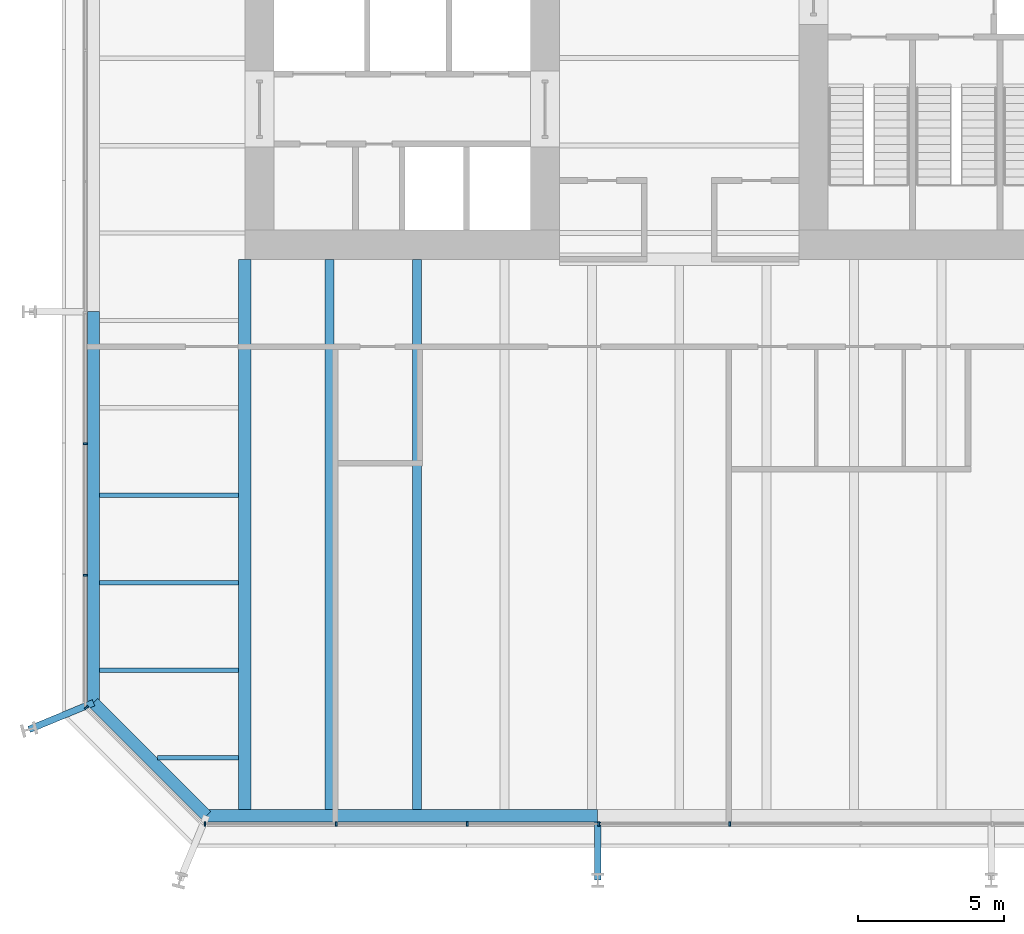
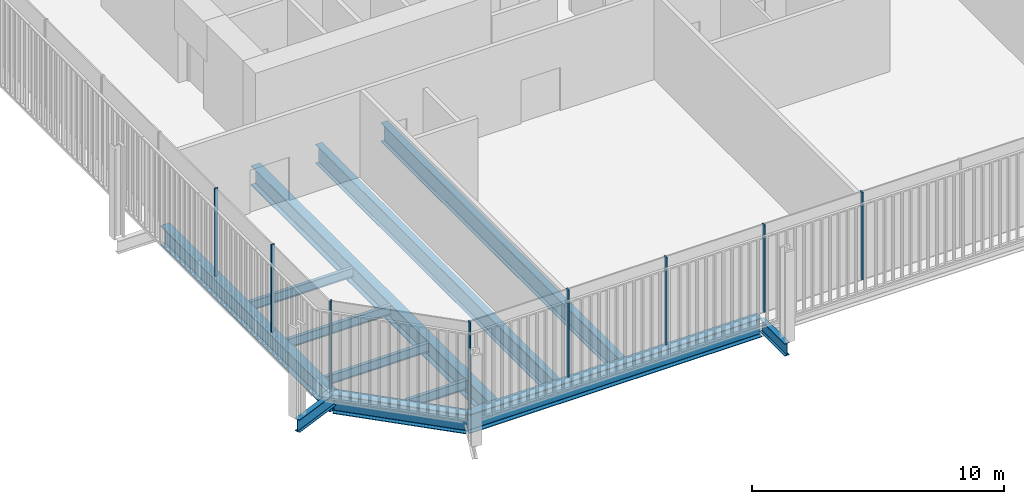
# One storey, part 2 of 20: 12 beams, 8 members, 3 elements without a shape of their own.
"""IFC4 building model written with IfcOpenShell, lengths in metres."""

from ifc_helpers import new_model, si_unit, direction, frame, origin, origin_2d, place, context, subcontext, project, spatial, rectangle, i_section, extrude, material, layer, layer_set, material_profile, profile_set, type_object, element, aggregate, save


model = new_model("IFC4")

# Units and contexts
model_context = context("Model", 3, precision=1e-05, world=origin(), true_north=direction((0.0, 1.0)))
body_context = subcontext(model_context, "Body", "Model", "MODEL_VIEW")
ifc_project = project(units=[si_unit("LENGTHUNIT", "METRE"), si_unit("AREAUNIT", "SQUARE_METRE"), si_unit("VOLUMEUNIT", "CUBIC_METRE"), si_unit("PLANEANGLEUNIT", "RADIAN"), si_unit("MASSUNIT", "GRAM", prefix="KILO")], contexts=[model_context])

# Site, building, storey
site_placement = place(None, origin())
site = spatial("IfcSite", under=ifc_project, at=site_placement, CompositionType="ELEMENT")
building_placement = place(site_placement, origin())
building = spatial("IfcBuilding", under=site, at=building_placement, Name="Millrace Tower", CompositionType="ELEMENT")
storey_placement = place(building_placement, frame((0.0, 0.0, 77.60009765625)))
storey = spatial("IfcBuildingStorey", under=building, at=storey_placement, Name="L17", CompositionType="ELEMENT", Elevation=77.60009765625)

# Curtain wall, member
ifc_material_1 = material(Name="Aluminium and glass", Category="aluminium")
ifc_layer = layer(ifc_material_1, 0.14990234375)
ifc_layer_set = layer_set([ifc_layer], Name="Aluminium and glass")
curtain_wall_type = type_object("IfcCurtainWallType", Name="CW-3 telecom floor curtain wall", PredefinedType="NOTDEFINED", material=ifc_layer_set)
placement = place(storey_placement, origin())
curtain_wall_1 = element("IfcCurtainWall", 1, at=placement, inside=storey, type_object=curtain_wall_type, Name="Curtain wall B-F01 L17", PredefinedType="NOTDEFINED")
ifc_material_2 = material(Name="Aluminium", Category="aluminium")
ifc_material_profile_1 = material_profile(ifc_material_2, rectangle(XDim=0.06494140625, YDim=0.14990234375, at=origin_2d()))
ifc_profile_set_1 = profile_set([ifc_material_profile_1], Name="Aluminium")
member_type = type_object("IfcMemberType", Name="CW-3 telecom floor curtain wall mullion", PredefinedType="MULLION", material=ifc_profile_set_1)
member_1_placement = place(storey_placement, frame((-20.330078125, -25.276123046875, 0.14990234375), z_axis=(0.0, 0.0, 1.0), x_axis=(0.707106781187, -0.707106781187, 0.0)))
member_1 = element("IfcMember", 2, at=member_1_placement, type_object=member_type, Name="CW3 mullion B-F01.1", PredefinedType="MULLION", context=body_context, shape_type="SweptSolid", body=[
    extrude(rectangle(XDim=0.06494140625, YDim=0.14990234375, at=origin_2d()), origin(), (0.0, 0.0, 1.0), 4.25),
])
aggregate(curtain_wall_1, [member_1])

# Curtain wall, members
curtain_wall_2 = element("IfcCurtainWall", 3, at=placement, inside=storey, type_object=curtain_wall_type, Name="Curtain wall B-F02 L17", PredefinedType="NOTDEFINED")
member_2_placement = place(storey_placement, frame((-16.267578125, -29.27490234375, 0.14990234375), z_axis=(0.0, 0.0, 1.0), x_axis=(1.0, 0.0, 0.0)))
member_2 = element("IfcMember", 4, at=member_2_placement, type_object=member_type, Name="CW3 mullion B-F02.1", PredefinedType="MULLION", context=body_context, shape_type="SweptSolid", body=[
    extrude(rectangle(XDim=0.06494140625, YDim=0.14990234375, at=origin_2d()), origin(), (0.0, 0.0, 1.0), 4.25),
])
member_3_placement = place(storey_placement, frame((-11.767578125, -29.27490234375, 0.14990234375), z_axis=(0.0, 0.0, 1.0), x_axis=(1.0, 0.0, 0.0)))
member_3 = element("IfcMember", 5, at=member_3_placement, type_object=member_type, Name="CW3 mullion B-F02.2", PredefinedType="MULLION", context=body_context, shape_type="SweptSolid", body=[
    extrude(rectangle(XDim=0.06494140625, YDim=0.14990234375, at=origin_2d()), origin(), (0.0, 0.0, 1.0), 4.25),
])
member_4_placement = place(storey_placement, frame((-7.267578125, -29.27490234375, 0.14990234375), z_axis=(0.0, 0.0, 1.0), x_axis=(1.0, 0.0, 0.0)))
member_4 = element("IfcMember", 6, at=member_4_placement, type_object=member_type, Name="CW3 mullion B-F02.3", PredefinedType="MULLION", context=body_context, shape_type="SweptSolid", body=[
    extrude(rectangle(XDim=0.06494140625, YDim=0.14990234375, at=origin_2d()), origin(), (0.0, 0.0, 1.0), 4.25),
])
member_5_placement = place(storey_placement, frame((-2.767578125, -29.27490234375, 0.14990234375), z_axis=(0.0, 0.0, 1.0), x_axis=(1.0, 0.0, 0.0)))
member_5 = element("IfcMember", 7, at=member_5_placement, type_object=member_type, Name="CW3 mullion B-F02.4", PredefinedType="MULLION", context=body_context, shape_type="SweptSolid", body=[
    extrude(rectangle(XDim=0.06494140625, YDim=0.14990234375, at=origin_2d()), origin(), (0.0, 0.0, 1.0), 4.25),
])
member_6_placement = place(storey_placement, frame((1.732421875, -29.27490234375, 0.14990234375), z_axis=(0.0, 0.0, 1.0), x_axis=(1.0, 0.0, 0.0)))
member_6 = element("IfcMember", 8, at=member_6_placement, type_object=member_type, Name="CW3 mullion B-F02.5", PredefinedType="MULLION", context=body_context, shape_type="SweptSolid", body=[
    extrude(rectangle(XDim=0.06494140625, YDim=0.14990234375, at=origin_2d()), origin(), (0.0, 0.0, 1.0), 4.25),
])
aggregate(curtain_wall_2, [member_2, member_3, member_4, member_5, member_6])

curtain_wall_3 = element("IfcCurtainWall", 9, at=placement, inside=storey, type_object=curtain_wall_type, Name="Curtain wall B-F08 L17", PredefinedType="NOTDEFINED")
member_7_placement = place(storey_placement, frame((-20.375, -16.232421875, 0.14990234375), z_axis=(0.0, 0.0, 1.0), x_axis=(0.0, -1.0, 0.0)))
member_7 = element("IfcMember", 10, at=member_7_placement, type_object=member_type, Name="CW3 mullion B-F08.8", PredefinedType="MULLION", context=body_context, shape_type="SweptSolid", body=[
    extrude(rectangle(XDim=0.06494140625, YDim=0.14990234375, at=origin_2d()), origin(), (0.0, 0.0, 1.0), 4.25),
])
member_8_placement = place(storey_placement, frame((-20.375, -20.732421875, 0.14990234375), z_axis=(0.0, 0.0, 1.0), x_axis=(0.0, -1.0, 0.0)))
member_8 = element("IfcMember", 11, at=member_8_placement, type_object=member_type, Name="CW3 mullion B-F08.9", PredefinedType="MULLION", context=body_context, shape_type="SweptSolid", body=[
    extrude(rectangle(XDim=0.06494140625, YDim=0.14990234375, at=origin_2d()), origin(), (0.0, 0.0, 1.0), 4.25),
])
aggregate(curtain_wall_3, [member_7, member_8])

# Beams
ifc_material_3 = material(Name="Steel ASTM A992 Grade 50", Category="steel")
ifc_material_profile_2 = material_profile(ifc_material_3, i_section(OverallWidth=0.15234375, OverallDepth=0.449462890625, WebThickness=0.007568359375, FlangeThickness=0.0107421875, FilletRadius=0.01025390625, at=origin_2d()))
ifc_profile_set_2 = profile_set([ifc_material_profile_2], Name="Steel ASTM A992 Grade 50")
beam_type_1 = type_object("IfcBeamType", Name="Floor beam W18x35", PredefinedType="JOIST", material=ifc_profile_set_2)
for number, where, z_axis, x_axis, name in (
    (12, (-19.880859375, -24.0, -0.4248046875), (1.0, 0.0, 0.0), (0.0, 1.0, 0.0), "BM-B-L17-S1-S003"),
    (13, (-19.880859375, -21.0, -0.4248046875), (1.0, 0.0, 0.0), (0.0, 1.0, 0.0), "BM-B-L17-S1-S005"),
    (14, (-19.880859375, -18.0, -0.4248046875), (1.0, 0.0, 0.0), (0.0, 1.0, 0.0), "BM-B-L17-S1-S007"),
):
    element("IfcBeam", number, at=place(storey_placement, frame(where, z_axis=z_axis, x_axis=x_axis)), inside=storey, type_object=beam_type_1, Name=name, PredefinedType="JOIST", context=body_context, shape_type="SweptSolid", body=[
        extrude(i_section(OverallWidth=0.15234375, OverallDepth=0.449462890625, WebThickness=0.007568359375, FlangeThickness=0.0107421875, FilletRadius=0.01025390625, at=origin_2d()), origin(), (0.0, 0.0, 1.0), 4.77001953125),
    ])
beam_1_placement = place(storey_placement, frame((-17.895263671875, -27.0, -0.4248046875), z_axis=(1.0, 0.0, 0.0), x_axis=(0.0, 1.0, 0.0)))
element("IfcBeam", 15, at=beam_1_placement, inside=storey, type_object=beam_type_1, Name="BM-B-L17-S1-S001", PredefinedType="JOIST", context=body_context, shape_type="SweptSolid", body=[
    extrude(i_section(OverallWidth=0.15234375, OverallDepth=0.449462890625, WebThickness=0.007568359375, FlangeThickness=0.0107421875, FilletRadius=0.01025390625, at=origin_2d()), origin(), (0.0, 0.0, 1.0), 2.784423828125),
])
ifc_material_4 = material(Name="Steel ASTM A992 Grade 50", Category="steel")
ifc_material_profile_3 = material_profile(ifc_material_4, i_section(OverallWidth=0.307373046875, OverallDepth=0.927001953125, WebThickness=0.01953125, FlangeThickness=0.031982421875, FilletRadius=0.01904296875, at=origin_2d()))
ifc_profile_set_3 = profile_set([ifc_material_profile_3], Name="Steel ASTM A992 Grade 50")
beam_type_2 = type_object("IfcBeamType", Name="Floor beam W36x194", PredefinedType="JOIST", material=ifc_profile_set_3)
for number, where, z_axis, x_axis, name in (
    (16, (-12.0, -28.781005859375, -0.66357421875), (0.0, 1.0, 0.0), (-1.0, 0.0, 0.0), "BM-B-L17-S1-S041"),
    (17, (-9.0, -28.781005859375, -0.66357421875), (0.0, 1.0, 0.0), (-1.0, 0.0, 0.0), "BM-B-L17-S1-S043"),
):
    element("IfcBeam", number, at=place(storey_placement, frame(where, z_axis=z_axis, x_axis=x_axis)), inside=storey, type_object=beam_type_2, Name=name, PredefinedType="JOIST", context=body_context, shape_type="SweptSolid", body=[
        extrude(i_section(OverallWidth=0.307373046875, OverallDepth=0.927001953125, WebThickness=0.01953125, FlangeThickness=0.031982421875, FilletRadius=0.01904296875, at=origin_2d()), origin(), (0.0, 0.0, 1.0), 18.881103515625),
    ])
ifc_material_5 = material(Name="Steel ASTM A992 Grade 50", Category="steel")
ifc_material_profile_4 = material_profile(ifc_material_5, i_section(OverallWidth=0.424072265625, OverallDepth=0.947509765625, WebThickness=0.02392578125, FlangeThickness=0.042724609375, FilletRadius=0.024169921875, at=origin_2d()))
ifc_profile_set_4 = profile_set([ifc_material_profile_4], Name="Steel ASTM A992 Grade 50")
beam_type_3 = type_object("IfcBeamType", Name="Girder medium span W36x302", PredefinedType="BEAM", material=ifc_profile_set_4)
beam_2_placement = place(storey_placement, frame((-14.89990234375, -28.781005859375, -0.673828125), z_axis=(0.0, 1.0, 0.0), x_axis=(-1.0, 0.0, 0.0)))
element("IfcBeam", 18, at=beam_2_placement, inside=storey, type_object=beam_type_3, Name="BM-B-L17-S1-G059", PredefinedType="BEAM", context=body_context, shape_type="SweptSolid", body=[
    extrude(i_section(OverallWidth=0.424072265625, OverallDepth=0.947509765625, WebThickness=0.02392578125, FlangeThickness=0.042724609375, FilletRadius=0.024169921875, at=origin_2d()), origin(), (0.0, 0.0, 1.0), 18.881103515625),
])
ifc_material_6 = material(Name="Steel ASTM A992 Grade 50", Category="steel")
ifc_material_profile_5 = material_profile(ifc_material_6, i_section(OverallWidth=0.23046875, OverallDepth=0.6171875, WebThickness=0.01318359375, FlangeThickness=0.022216796875, FilletRadius=0.012939453125, at=origin_2d()))
ifc_profile_set_5 = profile_set([ifc_material_profile_5], Name="Steel ASTM A992 Grade 50")
beam_type_4 = type_object("IfcBeamType", Name="Link beam W24x94", PredefinedType="BEAM", material=ifc_profile_set_5)
beam_3_placement = place(storey_placement, frame((-20.09033203125, -25.11328125, -0.5087890625), z_axis=(-0.923917312949, -0.382592209583, 0.0), x_axis=(0.382592209583, -0.923917312949, 0.0)))
element("IfcBeam", 19, at=beam_3_placement, inside=storey, type_object=beam_type_4, Name="LNK-B-L17-S1-01", PredefinedType="BEAM", context=body_context, shape_type="SweptSolid", body=[
    extrude(i_section(OverallWidth=0.23046875, OverallDepth=0.6171875, WebThickness=0.01318359375, FlangeThickness=0.022216796875, FilletRadius=0.012939453125, at=origin_2d()), origin(), (0.0, 0.0, 1.0), 2.3916015625),
])
beam_4_placement = place(storey_placement, frame((-2.800048828125, -29.199951171875, -0.5087890625), z_axis=(0.0, -1.0, 0.0), x_axis=(1.0, 0.0, 0.0)))
element("IfcBeam", 20, at=beam_4_placement, inside=storey, type_object=beam_type_4, Name="LNK-B-L17-S1-15", PredefinedType="BEAM", context=body_context, shape_type="SweptSolid", body=[
    extrude(i_section(OverallWidth=0.23046875, OverallDepth=0.6171875, WebThickness=0.01318359375, FlangeThickness=0.022216796875, FilletRadius=0.012939453125, at=origin_2d()), origin(), (0.0, 0.0, 1.0), 2.0),
])
ifc_material_7 = material(Name="Steel ASTM A992 Grade 50", Category="steel")
ifc_material_profile_6 = material_profile(ifc_material_7, i_section(OverallWidth=0.419189453125, OverallDepth=0.927001953125, WebThickness=0.019287109375, FlangeThickness=0.031982421875, FilletRadius=0.024169921875, at=origin_2d()))
ifc_profile_set_6 = profile_set([ifc_material_profile_6], Name="Steel ASTM A992 Grade 50")
beam_type_5 = type_object("IfcBeamType", Name="Ring beam medium span W36x231", PredefinedType="SPANDREL", material=ifc_profile_set_6)
beam_5_placement = place(storey_placement, frame((-20.09033203125, -25.11328125, -0.66357421875), z_axis=(0.0, 1.0, 0.0), x_axis=(-1.0, 0.0, 0.0)))
element("IfcBeam", 21, at=beam_5_placement, inside=storey, type_object=beam_type_5, Name="RNG-B-L17-S1-01", PredefinedType="SPANDREL", context=body_context, shape_type="SweptSolid", body=[
    extrude(i_section(OverallWidth=0.419189453125, OverallDepth=0.927001953125, WebThickness=0.019287109375, FlangeThickness=0.031982421875, FilletRadius=0.024169921875, at=origin_2d()), origin(), (0.0, 0.0, 1.0), 13.413330078125),
])
beam_6_placement = place(storey_placement, frame((-2.800048828125, -28.990478515625, -0.66357421875), z_axis=(-1.0, 0.0, 0.0), x_axis=(0.0, -1.0, 0.0)))
element("IfcBeam", 22, at=beam_6_placement, inside=storey, type_object=beam_type_5, Name="RNG-B-L17-S1-15", PredefinedType="SPANDREL", context=body_context, shape_type="SweptSolid", body=[
    extrude(i_section(OverallWidth=0.419189453125, OverallDepth=0.927001953125, WebThickness=0.019287109375, FlangeThickness=0.031982421875, FilletRadius=0.024169921875, at=origin_2d()), origin(), (0.0, 0.0, 1.0), 13.4130859375),
])
ifc_material_8 = material(Name="Steel ASTM A992 Grade 50", Category="steel")
ifc_material_profile_7 = material_profile(ifc_material_8, i_section(OverallWidth=0.419189453125, OverallDepth=0.927001953125, WebThickness=0.019287109375, FlangeThickness=0.031982421875, FilletRadius=0.024169921875, at=origin_2d()))
ifc_profile_set_7 = profile_set([ifc_material_profile_7], Name="Steel ASTM A992 Grade 50")
beam_type_6 = type_object("IfcBeamType", Name="Ring beam short span W36x231", PredefinedType="SPANDREL", material=ifc_profile_set_7)
beam_7_placement = place(storey_placement, frame((-16.213134765625, -28.990478515625, -0.66357421875), z_axis=(-0.707106781187, 0.707106781187, 0.0), x_axis=(-0.707106781187, -0.707106781187, 0.0)))
element("IfcBeam", 23, at=beam_7_placement, inside=storey, type_object=beam_type_6, Name="RNG-B-L17-S1-16", PredefinedType="SPANDREL", context=body_context, shape_type="SweptSolid", body=[
    extrude(i_section(OverallWidth=0.419189453125, OverallDepth=0.927001953125, WebThickness=0.019287109375, FlangeThickness=0.031982421875, FilletRadius=0.024169921875, at=origin_2d()), origin(), (0.0, 0.0, 1.0), 5.483154296875),
])

save(model, "model.ifc")
